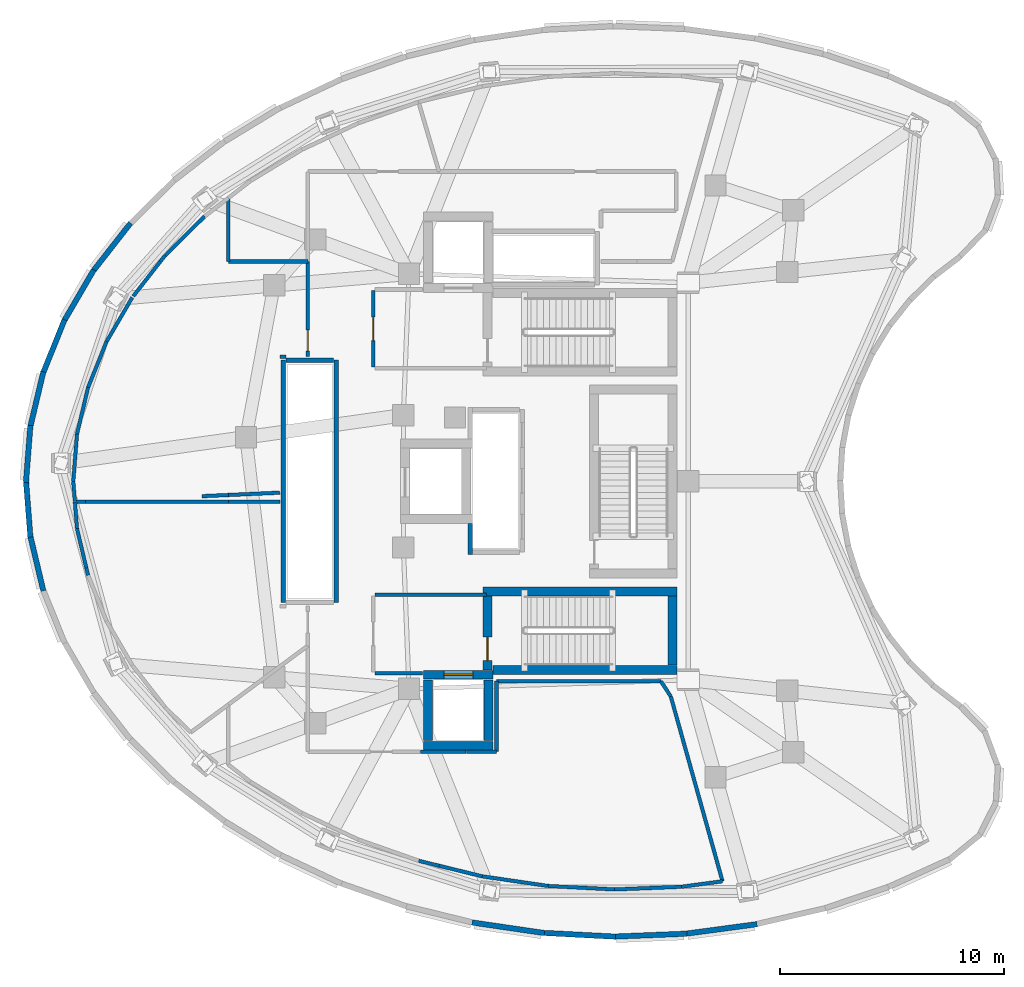
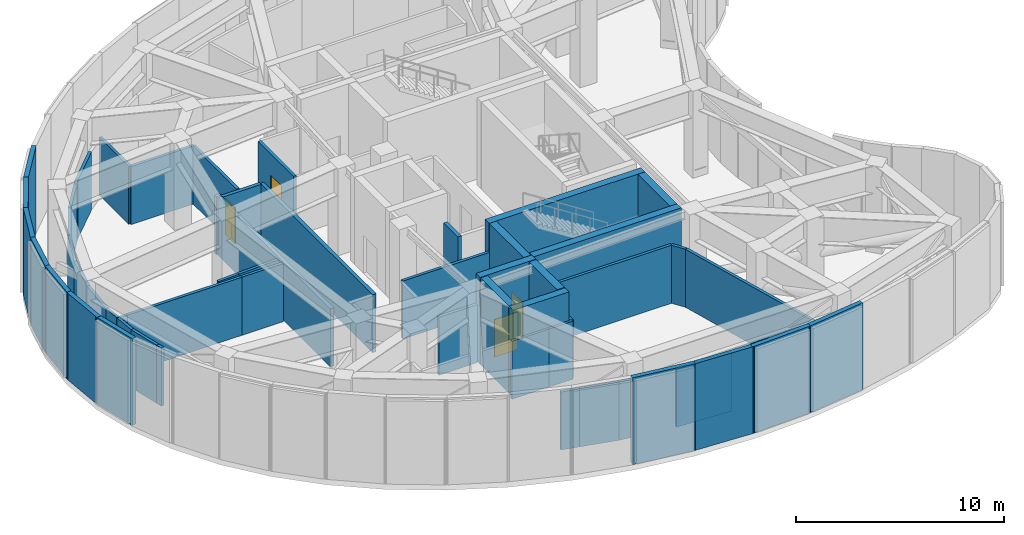
# One storey, part 4 of 9: 58 walls, 4 doors, 4 openings.
"""IFC4 building model written with IfcOpenShell, lengths in metres."""

from ifc_helpers import new_model, si_unit, direction, frame, frame_2d, origin, place, context, subcontext, project, spatial, rectangle, extrude, material, layer, layer_set, type_object, element, fill, save


model = new_model("IFC4")

# Units and contexts
model_context = context("Model", 3, precision=1e-05, world=origin(), true_north=direction((0.0, 1.0)))
body_context = subcontext(model_context, "Body", "Model", "MODEL_VIEW")
ifc_project = project(units=[si_unit("LENGTHUNIT", "METRE"), si_unit("AREAUNIT", "SQUARE_METRE"), si_unit("VOLUMEUNIT", "CUBIC_METRE"), si_unit("PLANEANGLEUNIT", "RADIAN"), si_unit("MASSUNIT", "GRAM", prefix="KILO")], contexts=[model_context])

# Site, building, storey
site_placement = place(None, origin())
site = spatial("IfcSite", under=ifc_project, at=site_placement, CompositionType="ELEMENT")
building_placement = place(site_placement, origin())
building = spatial("IfcBuilding", under=site, at=building_placement, Name="Korentha Bioscience Tower", CompositionType="ELEMENT")
storey_placement = place(building_placement, frame((0.0, 0.0, 277.199951171875)))
storey = spatial("IfcBuildingStorey", under=building, at=storey_placement, Name="L64", CompositionType="ELEMENT", Elevation=277.199951171875)

# Wall, opening, door
ifc_material_1 = material(Name="Gypsum-Clad Steel Stud", Category="steel")
ifc_layer_1 = layer(ifc_material_1, 0.159912109375, Name="Gypsum-Clad Steel Stud")
ifc_layer_set_1 = layer_set([ifc_layer_1], Name="Gypsum-Clad Steel Stud (IW-C160)")
wall_type_1 = type_object("IfcWallType", Name="Fire-Rated Corridor Partition Wall 160", PredefinedType="PARTITIONING", material=ifc_layer_set_1)
wall_1_placement = place(storey_placement, frame((23.5, 32.10009765625, 0.0), z_axis=(0.0, 0.0, 1.0), x_axis=(0.0, 1.0, 0.0)))
wall_1 = element("IfcWall", 1, at=wall_1_placement, inside=storey, type_object=wall_type_1, Name="L64 FFLN-CW Rated Enclosure Wall", PredefinedType="PARTITIONING", context=body_context, shape_type="SweptSolid", body=[
    extrude(rectangle(XDim=3.39990234375, YDim=0.159912109375, at=frame_2d((1.699951171875, 0.0))), origin(), (0.0, 0.0, 1.0), 3.41015625),
])
opening_1_placement = place(wall_1_placement, frame((1.175048828125, 0.0, 0.0)))
opening_1 = element("IfcOpeningElement", 2, at=opening_1_placement, cuts=wall_1, Name="Opening FD-90L", PredefinedType="OPENING", context=body_context, shape_type="SweptSolid", body=[
    extrude(rectangle(XDim=1.050048828125, YDim=2.14990234375, at=frame_2d((0.52490234375, 1.074951171875))), frame((0.0, 0.0947265625, 0.0), z_axis=(0.0, -1.0, 0.0), x_axis=(1.0, 0.0, 0.0)), (0.0, 0.0, 1.0), 0.189697265625),
])
ifc_material_2 = material(Name="Powder-Coated Fire-Rated Steel", Category="steel")
door_type_1 = type_object("IfcDoorType", Name="Stairwell Fire Exit Door 1050x2150 Left", OperationType="SINGLE_SWING_LEFT", PredefinedType="DOOR", material=ifc_material_2)
door_1_placement = place(opening_1_placement, origin())
door_1 = element("IfcDoor", 3, at=door_1_placement, inside=storey, type_object=door_type_1, Name="L64 North Firefighting Lobby Door", OperationType="SINGLE_SWING_LEFT", OverallHeight=2.14990234375, OverallWidth=1.050048828125, PredefinedType="DOOR", context=body_context, shape_type="SweptSolid", body=[
    extrude(rectangle(XDim=1.050048828125, YDim=2.14990234375, at=frame_2d((0.52490234375, 1.074951171875))), frame((0.0, 0.02490234375, 0.0), z_axis=(0.0, -1.0, 0.0), x_axis=(1.0, 0.0, 0.0)), (0.0, 0.0, 1.0), 0.050048828125),
])
fill(opening_1, door_1)

# Walls
wall_2_placement = place(storey_placement, frame((23.580078125, 21.949951171875, 0.0), z_axis=(0.0, 0.0, 1.0), x_axis=(1.0, 0.0, 0.0)))
element("IfcWall", 4, at=wall_2_placement, inside=storey, type_object=wall_type_1, Name="L64 Firefighting Lobby Return Wall FFLS-N", PredefinedType="PARTITIONING", context=body_context, shape_type="SweptSolid", body=[
    extrude(rectangle(XDim=4.969970703125, YDim=0.159912109375, at=frame_2d((2.48486328125, 0.0))), origin(), (0.0, 0.0, 1.0), 3.41015625),
])
wall_3_placement = place(storey_placement, frame((23.580078125, 18.449951171875, 0.0), z_axis=(0.0, 0.0, 1.0), x_axis=(1.0, 0.0, 0.0)))
element("IfcWall", 5, at=wall_3_placement, inside=storey, type_object=wall_type_1, Name="L64 Firefighting Lobby Return Wall FFLS-S", PredefinedType="PARTITIONING", context=body_context, shape_type="SweptSolid", body=[
    extrude(rectangle(XDim=2.119873046875, YDim=0.159912109375, at=frame_2d((1.06005859375, 0.0))), origin(), (0.0, 0.0, 1.0), 3.41015625),
])

# Wall, opening, door
wall_4_placement = place(storey_placement, frame((20.590087890625, 36.7919921875, 0.0), z_axis=(0.0, 0.0, 1.0), x_axis=(0.0, -1.0, 0.0)))
wall_4 = element("IfcWall", 6, at=wall_4_placement, inside=storey, type_object=wall_type_1, Name="L64 Medium-Voltage Transformer Electrical Switch Plant 05 Entrance Wall", PredefinedType="PARTITIONING", context=body_context, shape_type="SweptSolid", body=[
    extrude(rectangle(XDim=4.23193359375, YDim=0.159912109375, at=frame_2d((2.115966796875, 0.0))), origin(), (0.0, 0.0, 1.0), 3.41015625),
])
opening_2_placement = place(wall_4_placement, frame((3.0419921875, 0.0, 0.0)))
opening_2 = element("IfcOpeningElement", 7, at=opening_2_placement, cuts=wall_4, Name="Opening FD-120D", PredefinedType="OPENING", context=body_context, shape_type="SweptSolid", body=[
    extrude(rectangle(XDim=0.949951171875, YDim=2.14990234375, at=frame_2d((0.47509765625, 1.074951171875))), frame((0.0, 0.0947265625, 0.0), z_axis=(0.0, -1.0, 0.0), x_axis=(1.0, 0.0, 0.0)), (0.0, 0.0, 1.0), 0.189697265625),
])
ifc_material_3 = material(Name="Heavy-Duty Insulated Steel", Category="steel")
door_type_2 = type_object("IfcDoorType", Name="Plant & Riser Fire Door 950x2150 Left", OperationType="SINGLE_SWING_LEFT", PredefinedType="DOOR", material=ifc_material_3)
door_2_placement = place(opening_2_placement, origin())
door_2 = element("IfcDoor", 8, at=door_2_placement, inside=storey, type_object=door_type_2, Name="L64 Medium-Voltage Transformer Electrical Switch Plant 05 Door", OperationType="SINGLE_SWING_LEFT", OverallHeight=2.14990234375, OverallWidth=0.949951171875, PredefinedType="DOOR", context=body_context, shape_type="SweptSolid", body=[
    extrude(rectangle(XDim=0.949951171875, YDim=2.14990234375, at=frame_2d((0.47509765625, 1.074951171875))), frame((0.0, 0.02490234375, 0.0), z_axis=(0.0, -1.0, 0.0), x_axis=(1.0, 0.0, 0.0)), (0.0, 0.0, 1.0), 0.050048828125),
])
fill(opening_2, door_2)

# Walls
wall_5_placement = place(storey_placement, frame((10.291015625, 26.080322265625, 0.0), z_axis=(0.0, 0.0, 1.0), x_axis=(0.998982696556, 0.045095143669, 0.0)))
element("IfcWall", 9, at=wall_5_placement, inside=storey, type_object=wall_type_1, Name="L64 Interior Partition 006", PredefinedType="PARTITIONING", context=body_context, shape_type="SweptSolid", body=[
    extrude(rectangle(XDim=0.389892578125, YDim=0.159912109375, at=frame_2d((0.19482421875, 0.0))), origin(), (0.0, 0.0, 1.0), 3.41015625),
])
wall_6_placement = place(storey_placement, frame((10.6806640625, 26.097900390625, 0.0), z_axis=(0.0, 0.0, 1.0), x_axis=(1.0, 0.0, 0.0)))
element("IfcWall", 10, at=wall_6_placement, inside=storey, type_object=wall_type_1, Name="L64 Interior Partition 007", PredefinedType="PARTITIONING", context=body_context, shape_type="SweptSolid", body=[
    extrude(rectangle(XDim=6.3671875, YDim=0.159912109375, at=frame_2d((3.18359375, 0.0))), origin(), (0.0, 0.0, 1.0), 3.41015625),
])
wall_7_placement = place(storey_placement, frame((17.052001953125, 26.097900390625, 0.0), z_axis=(0.0, 0.0, 1.0), x_axis=(1.0, 0.0, 0.0)))
element("IfcWall", 11, at=wall_7_placement, inside=storey, type_object=wall_type_1, Name="L64 Interior Partition 008", PredefinedType="PARTITIONING", context=body_context, shape_type="SweptSolid", body=[
    extrude(rectangle(XDim=2.287841796875, YDim=0.159912109375, at=frame_2d((1.14404296875, 0.0))), origin(), (0.0, 0.0, 1.0), 3.41015625),
])
wall_8_placement = place(storey_placement, frame((10.79443359375, 22.8134765625, 0.0), z_axis=(0.0, 0.0, 1.0), x_axis=(-0.230820312517, 0.972996394304, 0.0)))
element("IfcWall", 12, at=wall_8_placement, inside=storey, type_object=wall_type_1, Name="L64 Interior Partition 016", PredefinedType="PARTITIONING", context=body_context, shape_type="SweptSolid", body=[
    extrude(rectangle(XDim=0.34375, YDim=0.159912109375, at=frame_2d((0.171875, 0.0))), origin(), (0.0, 0.0, 1.0), 3.41015625),
])
wall_9_placement = place(storey_placement, frame((10.714111328125, 23.152099609375, 0.0), z_axis=(0.0, 0.0, 1.0), x_axis=(-0.230724309011, 0.973019163856, 0.0)))
element("IfcWall", 13, at=wall_9_placement, inside=storey, type_object=wall_type_1, Name="L64 Interior Partition 017", PredefinedType="PARTITIONING", context=body_context, shape_type="SweptSolid", body=[
    extrude(rectangle(XDim=1.79248046875, YDim=0.159912109375, at=frame_2d((0.896240234375, 0.0))), origin(), (0.0, 0.0, 1.0), 3.41015625),
])
wall_10_placement = place(storey_placement, frame((10.300537109375, 24.896484375, 0.0), z_axis=(0.0, 0.0, 1.0), x_axis=(-0.078179185526, 0.996939323605, 0.0)))
element("IfcWall", 14, at=wall_10_placement, inside=storey, type_object=wall_type_1, Name="L64 Interior Partition 018", PredefinedType="PARTITIONING", context=body_context, shape_type="SweptSolid", body=[
    extrude(rectangle(XDim=1.18359375, YDim=0.159912109375, at=frame_2d((0.591796875, 0.0))), origin(), (0.0, 0.0, 1.0), 3.41015625),
])
wall_11_placement = place(storey_placement, frame((27.65380859375, 14.949951171875, 0.0), z_axis=(0.0, 0.0, 1.0), x_axis=(1.0, 0.0, 0.0)))
element("IfcWall", 15, at=wall_11_placement, inside=storey, type_object=wall_type_1, Name="L64 Interior Partition 019", PredefinedType="PARTITIONING", context=body_context, shape_type="SweptSolid", body=[
    extrude(rectangle(XDim=1.34228515625, YDim=0.159912109375, at=frame_2d((0.671142578125, 0.0))), origin(), (0.0, 0.0, 1.0), 3.41015625),
])
wall_12_placement = place(storey_placement, frame((29.0, 14.9541015625, 0.0), z_axis=(0.0, 0.0, 1.0), x_axis=(0.0, 1.0, 0.0)))
element("IfcWall", 16, at=wall_12_placement, inside=storey, type_object=wall_type_1, Name="L64 Interior Partition 020", PredefinedType="PARTITIONING", context=body_context, shape_type="SweptSolid", body=[
    extrude(rectangle(XDim=3.135986328125, YDim=0.159912109375, at=frame_2d((1.56787109375, 0.0))), origin(), (0.0, 0.0, 1.0), 3.41015625),
])
wall_13_placement = place(storey_placement, frame((29.0, 18.090087890625, 0.0), z_axis=(0.0, 0.0, 1.0), x_axis=(1.0, 0.0, 0.0)))
element("IfcWall", 17, at=wall_13_placement, inside=storey, type_object=wall_type_1, Name="L64 Interior Partition 021", PredefinedType="PARTITIONING", context=body_context, shape_type="SweptSolid", body=[
    extrude(rectangle(XDim=7.328125, YDim=0.159912109375, at=frame_2d((3.6640625, 0.0))), origin(), (0.0, 0.0, 1.0), 3.41015625),
])
wall_14_placement = place(storey_placement, frame((36.328125, 18.090087890625, 0.0), z_axis=(0.0, 0.0, 1.0), x_axis=(0.54753554432, -0.836782425548, 0.0)))
element("IfcWall", 18, at=wall_14_placement, inside=storey, type_object=wall_type_1, Name="L64 Interior Partition 022", PredefinedType="PARTITIONING", context=body_context, shape_type="SweptSolid", body=[
    extrude(rectangle(XDim=0.804443359375, YDim=0.159912109375, at=frame_2d((0.40234375, 0.0))), origin(), (0.0, 0.0, 1.0), 3.41015625),
])
wall_15_placement = place(storey_placement, frame((36.768798828125, 17.416748046875, 0.0), z_axis=(0.0, 0.0, 1.0), x_axis=(0.269454298841, -0.963013177914, 0.0)))
element("IfcWall", 19, at=wall_15_placement, inside=storey, type_object=wall_type_1, Name="L64 Interior Partition 023", PredefinedType="PARTITIONING", context=body_context, shape_type="SweptSolid", body=[
    extrude(rectangle(XDim=8.5595703125, YDim=0.159912109375, at=frame_2d((4.27978515625, 0.0))), origin(), (0.0, 0.0, 1.0), 3.41015625),
])
wall_16_placement = place(storey_placement, frame((39.0751953125, 9.173583984375, 0.0), z_axis=(0.0, 0.0, 1.0), x_axis=(-0.991157137256, -0.132693365573, 0.0)))
element("IfcWall", 20, at=wall_16_placement, inside=storey, type_object=wall_type_1, Name="L64 Interior Partition 024", PredefinedType="PARTITIONING", context=body_context, shape_type="SweptSolid", body=[
    extrude(rectangle(XDim=1.841796875, YDim=0.159912109375, at=frame_2d((0.9208984375, 0.0))), origin(), (0.0, 0.0, 1.0), 3.41015625),
])
wall_17_placement = place(storey_placement, frame((37.24951171875, 8.928955078125, 0.0), z_axis=(0.0, 0.0, 1.0), x_axis=(-0.999188752092, -0.040272046042, 0.0)))
element("IfcWall", 21, at=wall_17_placement, inside=storey, type_object=wall_type_1, Name="L64 Interior Partition 025", PredefinedType="PARTITIONING", context=body_context, shape_type="SweptSolid", body=[
    extrude(rectangle(XDim=2.982666015625, YDim=0.159912109375, at=frame_2d((1.4912109375, 0.0))), origin(), (0.0, 0.0, 1.0), 3.41015625),
])
wall_18_placement = place(storey_placement, frame((34.269287109375, 8.808837890625, 0.0), z_axis=(0.0, 0.0, 1.0), x_axis=(-0.998634293536, 0.052245074151, 0.0)))
element("IfcWall", 22, at=wall_18_placement, inside=storey, type_object=wall_type_1, Name="L64 Interior Partition 026", PredefinedType="PARTITIONING", context=body_context, shape_type="SweptSolid", body=[
    extrude(rectangle(XDim=2.9814453125, YDim=0.159912109375, at=frame_2d((1.49072265625, 0.0))), origin(), (0.0, 0.0, 1.0), 3.41015625),
])
wall_19_placement = place(storey_placement, frame((31.291748046875, 8.964599609375, 0.0), z_axis=(0.0, 0.0, 1.0), x_axis=(-0.989458468806, 0.144816913748, 0.0)))
element("IfcWall", 23, at=wall_19_placement, inside=storey, type_object=wall_type_1, Name="L64 Interior Partition 027", PredefinedType="PARTITIONING", context=body_context, shape_type="SweptSolid", body=[
    extrude(rectangle(XDim=2.958740234375, YDim=0.159912109375, at=frame_2d((1.4794921875, 0.0))), origin(), (0.0, 0.0, 1.0), 3.41015625),
])
wall_20_placement = place(storey_placement, frame((28.364013671875, 9.39306640625, 0.0), z_axis=(0.0, 0.0, 1.0), x_axis=(-0.971304908144, 0.237837708144, 0.0)))
element("IfcWall", 24, at=wall_20_placement, inside=storey, type_object=wall_type_1, Name="L64 Interior Partition 028", PredefinedType="PARTITIONING", context=body_context, shape_type="SweptSolid", body=[
    extrude(rectangle(XDim=1.969970703125, YDim=0.159912109375, at=frame_2d((0.98486328125, 0.0))), origin(), (0.0, 0.0, 1.0), 3.41015625),
])
wall_21_placement = place(storey_placement, frame((26.44677734375, 9.862548828125, 0.0), z_axis=(0.0, 0.0, 1.0), x_axis=(-0.97128997965, 0.237898666307, 0.0)))
element("IfcWall", 25, at=wall_21_placement, inside=storey, type_object=wall_type_1, Name="L64 Interior Partition 029", PredefinedType="PARTITIONING", context=body_context, shape_type="SweptSolid", body=[
    extrude(rectangle(XDim=0.942138671875, YDim=0.159912109375, at=frame_2d((0.47119140625, 0.0))), origin(), (0.0, 0.0, 1.0), 3.41015625),
])
wall_22_placement = place(storey_placement, frame((25.610107421875, 14.949951171875, 0.0), z_axis=(0.0, 0.0, 1.0), x_axis=(1.0, 0.0, 0.0)))
element("IfcWall", 26, at=wall_22_placement, inside=storey, type_object=wall_type_1, Name="L64 Interior Partition 036", PredefinedType="PARTITIONING", context=body_context, shape_type="SweptSolid", body=[
    extrude(rectangle(XDim=2.039306640625, YDim=0.159912109375, at=frame_2d((1.01953125, 0.0))), origin(), (0.0, 0.0, 1.0), 3.41015625),
])
wall_23_placement = place(storey_placement, frame((20.590087890625, 36.802001953125, 0.0), z_axis=(0.0, 0.0, 1.0), x_axis=(-1.0, 0.0, 0.0)))
element("IfcWall", 27, at=wall_23_placement, inside=storey, type_object=wall_type_1, Name="L64 Interior Partition 053", PredefinedType="PARTITIONING", context=body_context, shape_type="SweptSolid", body=[
    extrude(rectangle(XDim=3.5380859375, YDim=0.159912109375, at=frame_2d((1.76904296875, 0.0))), origin(), (0.0, 0.0, 1.0), 3.41015625),
])
wall_24_placement = place(storey_placement, frame((17.052001953125, 36.802001953125, 0.0), z_axis=(0.0, 0.0, 1.0), x_axis=(0.0, 1.0, 0.0)))
element("IfcWall", 28, at=wall_24_placement, inside=storey, type_object=wall_type_1, Name="L64 Interior Partition 054", PredefinedType="PARTITIONING", context=body_context, shape_type="SweptSolid", body=[
    extrude(rectangle(XDim=2.83056640625, YDim=0.159912109375, at=frame_2d((1.415283203125, 0.0))), origin(), (0.0, 0.0, 1.0), 3.41015625),
])
wall_25_placement = place(storey_placement, frame((10.1357421875, 27.0, 0.0), z_axis=(0.0, 0.0, 1.0), x_axis=(0.078103302944, 0.996945271351, 0.0)))
element("IfcWall", 29, at=wall_25_placement, inside=storey, type_object=wall_type_1, Name="L64 Interior Partition 057", PredefinedType="PARTITIONING", context=body_context, shape_type="SweptSolid", body=[
    extrude(rectangle(XDim=2.10986328125, YDim=0.159912109375, at=frame_2d((1.054931640625, 0.0))), origin(), (0.0, 0.0, 1.0), 3.41015625),
])
wall_26_placement = place(storey_placement, frame((10.300537109375, 29.103759765625, 0.0), z_axis=(0.0, 0.0, 1.0), x_axis=(0.230736371134, 0.973016303582, 0.0)))
element("IfcWall", 30, at=wall_26_placement, inside=storey, type_object=wall_type_1, Name="L64 Interior Partition 058", PredefinedType="PARTITIONING", context=body_context, shape_type="SweptSolid", body=[
    extrude(rectangle(XDim=2.140625, YDim=0.159912109375, at=frame_2d((1.0703125, 0.0))), origin(), (0.0, 0.0, 1.0), 3.41015625),
])
wall_27_placement = place(storey_placement, frame((10.79443359375, 31.186767578125, 0.0), z_axis=(0.0, 0.0, 1.0), x_axis=(0.373992983989, 0.927431532743, 0.0)))
element("IfcWall", 31, at=wall_27_placement, inside=storey, type_object=wall_type_1, Name="L64 Interior Partition 059", PredefinedType="PARTITIONING", context=body_context, shape_type="SweptSolid", body=[
    extrude(rectangle(XDim=2.19873046875, YDim=0.159912109375, at=frame_2d((1.099365234375, 0.0))), origin(), (0.0, 0.0, 1.0), 3.41015625),
])
wall_28_placement = place(storey_placement, frame((11.616943359375, 33.226318359375, 0.0), z_axis=(0.0, 0.0, 1.0), x_axis=(0.503091477378, 0.864233166101, 0.0)))
element("IfcWall", 32, at=wall_28_placement, inside=storey, type_object=wall_type_1, Name="L64 Interior Partition 060", PredefinedType="PARTITIONING", context=body_context, shape_type="SweptSolid", body=[
    extrude(rectangle(XDim=2.27880859375, YDim=0.159912109375, at=frame_2d((1.139404296875, 0.0))), origin(), (0.0, 0.0, 1.0), 3.41015625),
])
wall_29_placement = place(storey_placement, frame((12.8076171875, 35.25244140625, 0.0), z_axis=(0.0, 0.0, 1.0), x_axis=(0.615774471154, 0.787922458542, 0.0)))
element("IfcWall", 33, at=wall_29_placement, inside=storey, type_object=wall_type_1, Name="L64 Interior Partition 061", PredefinedType="PARTITIONING", context=body_context, shape_type="SweptSolid", body=[
    extrude(rectangle(XDim=1.96142578125, YDim=0.159912109375, at=frame_2d((0.980712890625, 0.0))), origin(), (0.0, 0.0, 1.0), 3.41015625),
])
wall_30_placement = place(storey_placement, frame((14.018798828125, 36.802001953125, 0.0), z_axis=(0.0, 0.0, 1.0), x_axis=(0.615799042006, 0.787903255397, 0.0)))
element("IfcWall", 34, at=wall_30_placement, inside=storey, type_object=wall_type_1, Name="L64 Interior Partition 062", PredefinedType="PARTITIONING", context=body_context, shape_type="SweptSolid", body=[
    extrude(rectangle(XDim=0.336181640625, YDim=0.159912109375, at=frame_2d((0.16796875, 0.0))), origin(), (0.0, 0.0, 1.0), 3.41015625),
])
wall_31_placement = place(storey_placement, frame((14.22607421875, 37.0673828125, 0.0), z_axis=(0.0, 0.0, 1.0), x_axis=(0.711428467845, 0.702758518369, 0.0)))
element("IfcWall", 35, at=wall_31_placement, inside=storey, type_object=wall_type_1, Name="L64 Interior Partition 063", PredefinedType="PARTITIONING", context=body_context, shape_type="SweptSolid", body=[
    extrude(rectangle(XDim=2.47802734375, YDim=0.159912109375, at=frame_2d((1.239013671875, 0.0))), origin(), (0.0, 0.0, 1.0), 3.41015625),
])
wall_32_placement = place(storey_placement, frame((19.6201171875, 32.56005859375, 0.0), z_axis=(0.0, 0.0, 1.0), x_axis=(-1.0, 0.0, 0.0)))
element("IfcWall", 36, at=wall_32_placement, inside=storey, type_object=wall_type_1, Name="L64 Interior Partition 065", PredefinedType="PARTITIONING", context=body_context, shape_type="SweptSolid", body=[
    extrude(rectangle(XDim=0.27001953125, YDim=0.159912109375, at=frame_2d((0.135009765625, 0.0))), origin(), (0.0, 0.0, 1.0), 3.41015625),
])
wall_33_placement = place(storey_placement, frame((19.33984375, 26.4951171875, 0.0), z_axis=(0.0, 0.0, 1.0), x_axis=(-0.99897293198, -0.04531093875, 0.0)))
element("IfcWall", 37, at=wall_33_placement, inside=storey, type_object=wall_type_1, Name="L64 Interior Partition 066", PredefinedType="PARTITIONING", context=body_context, shape_type="SweptSolid", body=[
    extrude(rectangle(XDim=2.2900390625, YDim=0.159912109375, at=frame_2d((1.14501953125, 0.0))), origin(), (0.0, 0.0, 1.0), 3.41015625),
])
wall_34_placement = place(storey_placement, frame((17.0478515625, 26.39111328125, 0.0), z_axis=(0.0, 0.0, 1.0), x_axis=(-0.998967680738, -0.045426565374, 0.0)))
element("IfcWall", 38, at=wall_34_placement, inside=storey, type_object=wall_type_1, Name="L64 Interior Partition 067", PredefinedType="PARTITIONING", context=body_context, shape_type="SweptSolid", body=[
    extrude(rectangle(XDim=1.171630859375, YDim=0.159912109375, at=frame_2d((0.5859375, 0.0))), origin(), (0.0, 0.0, 1.0), 3.41015625),
])
wall_35_placement = place(storey_placement, frame((10.2060546875, 26.102294921875, 0.0), z_axis=(0.0, 0.0, 1.0), x_axis=(-0.078085569275, 0.996946660494, 0.0)))
element("IfcWall", 39, at=wall_35_placement, inside=storey, type_object=wall_type_1, Name="L64 Interior Partition 068", PredefinedType="PARTITIONING", context=body_context, shape_type="SweptSolid", body=[
    extrude(rectangle(XDim=0.900390625, YDim=0.159912109375, at=frame_2d((0.4501953125, 0.0))), origin(), (0.0, 0.0, 1.0), 3.41015625),
])
ifc_material_4 = material(Name="Autoclaved Aerated Concrete Block C25", Category="concrete")
ifc_layer_2 = layer(ifc_material_4, 0.199951171875, Name="Autoclaved Aerated Concrete Block C25")
ifc_layer_set_2 = layer_set([ifc_layer_2], Name="Autoclaved Aerated Concrete Block C25 (IW-S200)")
wall_type_2 = type_object("IfcWallType", Name="Lift and Riser Shaft Enclosure Wall 200", PredefinedType="PARTITIONING", material=ifc_layer_set_2)
for number, where, z_axis, x_axis, name in (
    (40, (19.5, 21.60009765625, 0.0), (0.0, 0.0, 1.0), (0.0, 1.0, 0.0), "L64 Lift Bank MID Shaft Wall -X"),
    (41, (21.85009765625, 21.60009765625, 0.0), (0.0, 0.0, 1.0), (0.0, 1.0, 0.0), "L64 Lift Bank MID Shaft Wall +X"),
):
    element("IfcWall", number, at=place(storey_placement, frame(where, z_axis=z_axis, x_axis=x_axis)), inside=storey, type_object=wall_type_2, Name=name, PredefinedType="PARTITIONING", context=body_context, shape_type="SweptSolid", body=[
        extrude(rectangle(XDim=10.7998046875, YDim=0.199951171875, at=frame_2d((5.39990234375, 0.0))), origin(), (0.0, 0.0, 1.0), 3.41015625),
    ])
wall_36_placement = place(storey_placement, frame((19.6201171875, 32.39990234375, 0.0), z_axis=(0.0, 0.0, 1.0), x_axis=(1.0, 0.0, 0.0)))
element("IfcWall", 42, at=wall_36_placement, inside=storey, type_object=wall_type_2, Name="L64 Lift Bank MID Shaft Wall +Y", PredefinedType="PARTITIONING", context=body_context, shape_type="SweptSolid", body=[
    extrude(rectangle(XDim=2.10986328125, YDim=0.199951171875, at=frame_2d((1.054931640625, 0.0))), origin(), (0.0, 0.0, 1.0), 3.41015625),
])
wall_37_placement = place(storey_placement, frame((27.830078125, 23.75, 0.0), z_axis=(0.0, 0.0, 1.0), x_axis=(0.0, 1.0, 0.0)))
element("IfcWall", 43, at=wall_37_placement, inside=storey, type_object=wall_type_2, Name="L64 Lift Bank HIGH Shaft Wall -XS", PredefinedType="PARTITIONING", context=body_context, shape_type="SweptSolid", body=[
    extrude(rectangle(XDim=1.365966796875, YDim=0.199951171875, at=frame_2d((0.68310546875, 0.0))), origin(), (0.0, 0.0, 1.0), 3.41015625),
])
ifc_material_5 = material(Name="Concrete C65", Category="concrete")
ifc_layer_3 = layer(ifc_material_5, 0.39990234375, Name="Concrete C65")
ifc_layer_set_3 = layer_set([ifc_layer_3], Name="Concrete C65 (CW-C65)")
wall_type_3 = type_object("IfcWallType", Name="Mid-Rise Core Shear Wall 400", PredefinedType="SHEAR", material=ifc_layer_set_3)
wall_38_placement = place(storey_placement, frame((28.85205078125, 18.60009765625, 0.0), z_axis=(0.0, 0.0, 1.0), x_axis=(1.0, 0.0, 0.0)))
element("IfcWall", 44, at=wall_38_placement, inside=storey, type_object=wall_type_3, Name="L64 Core Shear Wall ST2-S", PredefinedType="SHEAR", context=body_context, shape_type="SweptSolid", body=[
    extrude(rectangle(XDim=8.197998046875, YDim=0.39990234375, at=frame_2d((4.09912109375, 0.0))), origin(), (0.0, 0.0, 1.0), 5.10009765625),
])
wall_39_placement = place(storey_placement, frame((28.39990234375, 22.10009765625, 0.0), z_axis=(0.0, 0.0, 1.0), x_axis=(1.0, 0.0, 0.0)))
element("IfcWall", 45, at=wall_39_placement, inside=storey, type_object=wall_type_3, Name="L64 Core Shear Wall ST2-N", PredefinedType="SHEAR", context=body_context, shape_type="SweptSolid", body=[
    extrude(rectangle(XDim=8.650146484375, YDim=0.39990234375, at=frame_2d((4.3251953125, 0.0))), origin(), (0.0, 0.0, 1.0), 5.10009765625),
])
wall_40_placement = place(storey_placement, frame((36.85009765625, 18.81005859375, 0.0), z_axis=(0.0, 0.0, 1.0), x_axis=(0.0, 1.0, 0.0)))
element("IfcWall", 46, at=wall_40_placement, inside=storey, type_object=wall_type_3, Name="L64 Core Shear Wall ST2-E", PredefinedType="SHEAR", context=body_context, shape_type="SweptSolid", body=[
    extrude(rectangle(XDim=3.079833984375, YDim=0.39990234375, at=frame_2d((1.5400390625, 0.0))), origin(), (0.0, 0.0, 1.0), 5.10009765625),
])

# Wall, opening, door
wall_41_placement = place(storey_placement, frame((28.60009765625, 18.58203125, 0.0), z_axis=(0.0, 0.0, 1.0), x_axis=(0.0, 1.0, 0.0)))
wall_41 = element("IfcWall", 47, at=wall_41_placement, inside=storey, type_object=wall_type_3, Name="L64 Core Shear Wall ST2-W", PredefinedType="SHEAR", context=body_context, shape_type="SweptSolid", body=[
    extrude(rectangle(XDim=3.307861328125, YDim=0.39990234375, at=frame_2d((1.65380859375, 0.0))), origin(), (0.0, 0.0, 1.0), 5.10009765625),
])
opening_3_placement = place(wall_41_placement, frame((0.427978515625, 0.0, 0.0)))
opening_3 = element("IfcOpeningElement", 48, at=opening_3_placement, cuts=wall_41, Name="Opening FD-90L", PredefinedType="OPENING", context=body_context, shape_type="SweptSolid", body=[
    extrude(rectangle(XDim=1.050048828125, YDim=2.14990234375, at=frame_2d((0.52490234375, 1.074951171875))), frame((0.0, 0.21484375, 0.0), z_axis=(0.0, -1.0, 0.0), x_axis=(1.0, 0.0, 0.0)), (0.0, 0.0, 1.0), 0.4296875),
])
door_3_placement = place(opening_3_placement, origin())
door_3 = element("IfcDoor", 49, at=door_3_placement, inside=storey, type_object=door_type_1, Name="L64 ST-2 Fire Exit Stair Door", OperationType="SINGLE_SWING_LEFT", OverallHeight=2.14990234375, OverallWidth=1.050048828125, PredefinedType="DOOR", context=body_context, shape_type="SweptSolid", body=[
    extrude(rectangle(XDim=1.050048828125, YDim=2.14990234375, at=frame_2d((0.52490234375, 1.074951171875))), frame((0.0, 0.02490234375, 0.0), z_axis=(0.0, -1.0, 0.0), x_axis=(1.0, 0.0, 0.0)), (0.0, 0.0, 1.0), 0.050048828125),
])
fill(opening_3, door_3)

# Wall
wall_42_placement = place(storey_placement, frame((25.75, 15.199951171875, 0.0), z_axis=(0.0, 0.0, 1.0), x_axis=(1.0, 0.0, 0.0)))
element("IfcWall", 50, at=wall_42_placement, inside=storey, type_object=wall_type_3, Name="L64 Core Shear Wall FFL1-S", PredefinedType="SHEAR", context=body_context, shape_type="SweptSolid", body=[
    extrude(rectangle(XDim=3.10009765625, YDim=0.39990234375, at=frame_2d((1.550048828125, 0.0))), origin(), (0.0, 0.0, 1.0), 5.10009765625),
])

# Wall, opening, door
wall_43_placement = place(storey_placement, frame((25.75, 18.3798828125, 0.0), z_axis=(0.0, 0.0, 1.0), x_axis=(1.0, 0.0, 0.0)))
wall_43 = element("IfcWall", 51, at=wall_43_placement, inside=storey, type_object=wall_type_3, Name="L64 Core Shear Wall FFL1-N", PredefinedType="SHEAR", context=body_context, shape_type="SweptSolid", body=[
    extrude(rectangle(XDim=3.10009765625, YDim=0.39990234375, at=frame_2d((1.550048828125, 0.0))), origin(), (0.0, 0.0, 1.0), 5.10009765625),
])
opening_4_placement = place(wall_43_placement, frame((0.89990234375, 0.0, 0.0)))
opening_4 = element("IfcOpeningElement", 52, at=opening_4_placement, cuts=wall_43, Name="Opening LD-13", PredefinedType="OPENING", context=body_context, shape_type="SweptSolid", body=[
    extrude(rectangle(XDim=1.300048828125, YDim=2.199951171875, at=frame_2d((0.64990234375, 1.10009765625))), frame((0.0, 0.21484375, 0.0), z_axis=(0.0, -1.0, 0.0), x_axis=(1.0, 0.0, 0.0)), (0.0, 0.0, 1.0), 0.4296875),
])
ifc_material_6 = material(Name="Brushed Stainless Steel 316", Category="steel")
door_type_3 = type_object("IfcDoorType", Name="Service & Firefighting Lift Landing Door 1300x2300", OperationType="DOUBLE_DOOR_SLIDING", PredefinedType="DOOR", material=ifc_material_6)
door_4_placement = place(opening_4_placement, origin())
door_4 = element("IfcDoor", 53, at=door_4_placement, inside=storey, type_object=door_type_3, Name="L64 FFL-1 Sliding Lift Landing Door", OperationType="DOUBLE_DOOR_SLIDING", OverallHeight=2.199951171875, OverallWidth=1.300048828125, PredefinedType="DOOR", context=body_context, shape_type="SweptSolid", body=[
    extrude(rectangle(XDim=1.300048828125, YDim=2.199951171875, at=frame_2d((0.64990234375, 1.10009765625))), frame((0.0, 0.02490234375, 0.0), z_axis=(0.0, -1.0, 0.0), x_axis=(1.0, 0.0, 0.0)), (0.0, 0.0, 1.0), 0.050048828125),
])
fill(opening_4, door_4)

# Walls
for number, where, z_axis, x_axis, name in (
    (54, (25.949951171875, 15.43994140625, 0.0), (0.0, 0.0, 1.0), (0.0, 1.0, 0.0), "L64 Core Shear Wall FFL1-W"),
    (55, (28.64990234375, 15.43994140625, 0.0), (0.0, 0.0, 1.0), (0.0, 1.0, 0.0), "L64 Core Shear Wall FFL1-E"),
):
    element("IfcWall", number, at=place(storey_placement, frame(where, z_axis=z_axis, x_axis=x_axis)), inside=storey, type_object=wall_type_3, Name=name, PredefinedType="SHEAR", context=body_context, shape_type="SweptSolid", body=[
        extrude(rectangle(XDim=2.699951171875, YDim=0.39990234375, at=frame_2d((1.35009765625, 0.0))), origin(), (0.0, 0.0, 1.0), 5.10009765625),
    ])
ifc_material_7 = material(Name="Insulated Precast Concrete C40", Category="concrete")
ifc_layer_4 = layer(ifc_material_7, 0.239990234375, Name="Insulated Precast Concrete C40")
ifc_layer_set_4 = layer_set([ifc_layer_4], Name="Insulated Precast Concrete C40 (EW-PL240)")
wall_type_4 = type_object("IfcWallType", Name="Plant Acoustic Louvre Backup Wall 240", PredefinedType="STANDARD", material=ifc_layer_set_4)
wall_44_placement = place(storey_placement, frame((12.689697265625, 38.51171875, 0.0), z_axis=(0.0, 0.0, 1.0), x_axis=(-0.615782644102, -0.78791607118, 0.0)))
element("IfcWall", 56, at=wall_44_placement, inside=storey, type_object=wall_type_4, Name="L64 Plant Louvre Backup Wall 14", PredefinedType="STANDARD", context=body_context, shape_type="SweptSolid", body=[
    extrude(rectangle(XDim=2.7685546875, YDim=0.239990234375, at=frame_2d((1.38427734375, 0.0))), origin(), (0.0, 0.0, 1.0), 5.10009765625),
])
wall_45_placement = place(storey_placement, frame((11.050048828125, 36.426513671875, 0.0), z_axis=(0.0, 0.0, 1.0), x_axis=(-0.503109244551, -0.864222823147, 0.0)))
element("IfcWall", 57, at=wall_45_placement, inside=storey, type_object=wall_type_4, Name="L64 Plant Louvre Backup Wall 15", PredefinedType="STANDARD", context=body_context, shape_type="SweptSolid", body=[
    extrude(rectangle(XDim=2.690673828125, YDim=0.239990234375, at=frame_2d((1.34521484375, 0.0))), origin(), (0.0, 0.0, 1.0), 5.10009765625),
])
wall_46_placement = place(storey_placement, frame((9.747802734375, 34.206298828125, 0.0), z_axis=(0.0, 0.0, 1.0), x_axis=(-0.373969625134, -0.927440952016, 0.0)))
element("IfcWall", 58, at=wall_46_placement, inside=storey, type_object=wall_type_4, Name="L64 Plant Louvre Backup Wall 16", PredefinedType="STANDARD", context=body_context, shape_type="SweptSolid", body=[
    extrude(rectangle(XDim=2.62646484375, YDim=0.239990234375, at=frame_2d((1.313232421875, 0.0))), origin(), (0.0, 0.0, 1.0), 5.10009765625),
])
wall_47_placement = place(storey_placement, frame((8.80126953125, 31.8828125, 0.0), z_axis=(0.0, 0.0, 1.0), x_axis=(-0.230784675984, -0.973004847537, 0.0)))
element("IfcWall", 59, at=wall_47_placement, inside=storey, type_object=wall_type_4, Name="L64 Plant Louvre Backup Wall 17", PredefinedType="STANDARD", context=body_context, shape_type="SweptSolid", body=[
    extrude(rectangle(XDim=2.580078125, YDim=0.239990234375, at=frame_2d((1.2900390625, 0.0))), origin(), (0.0, 0.0, 1.0), 5.10009765625),
])
for number, where, z_axis, x_axis, name in (
    (60, (8.22412109375, 29.489013671875, 0.0), (0.0, 0.0, 1.0), (-0.078040462511, -0.996950192442, 0.0), "L64 Plant Louvre Backup Wall 18"),
    (61, (8.024658203125, 27.05908203125, 0.0), (0.0, 0.0, 1.0), (0.078040462511, -0.996950192442, 0.0), "L64 Plant Louvre Backup Wall 19"),
):
    element("IfcWall", number, at=place(storey_placement, frame(where, z_axis=z_axis, x_axis=x_axis)), inside=storey, type_object=wall_type_4, Name=name, PredefinedType="STANDARD", context=body_context, shape_type="SweptSolid", body=[
        extrude(rectangle(XDim=2.555908203125, YDim=0.239990234375, at=frame_2d((1.27783203125, 0.0))), origin(), (0.0, 0.0, 1.0), 5.10009765625),
    ])
wall_48_placement = place(storey_placement, frame((8.205810546875, 24.627685546875, 0.0), z_axis=(0.0, 0.0, 1.0), x_axis=(0.230784675984, -0.973004847537, 0.0)))
element("IfcWall", 62, at=wall_48_placement, inside=storey, type_object=wall_type_4, Name="L64 Plant Louvre Backup Wall 20", PredefinedType="STANDARD", context=body_context, shape_type="SweptSolid", body=[
    extrude(rectangle(XDim=2.580078125, YDim=0.239990234375, at=frame_2d((1.2900390625, 0.0))), origin(), (0.0, 0.0, 1.0), 5.10009765625),
])
wall_49_placement = place(storey_placement, frame((27.90625, 7.337646484375, 0.0), z_axis=(0.0, 0.0, 1.0), x_axis=(0.989461064134, -0.144799180117, 0.0)))
element("IfcWall", 63, at=wall_49_placement, inside=storey, type_object=wall_type_4, Name="L64 Plant Louvre Backup Wall 30", PredefinedType="STANDARD", context=body_context, shape_type="SweptSolid", body=[
    extrude(rectangle(XDim=3.267578125, YDim=0.239990234375, at=frame_2d((1.6337890625, 0.0))), origin(), (0.0, 0.0, 1.0), 5.10009765625),
])
wall_50_placement = place(storey_placement, frame((31.029052734375, 6.87548828125, 0.0), z_axis=(0.0, 0.0, 1.0), x_axis=(0.998636433691, -0.052204150274, 0.0)))
element("IfcWall", 64, at=wall_50_placement, inside=storey, type_object=wall_type_4, Name="L64 Plant Louvre Backup Wall 31", PredefinedType="STANDARD", context=body_context, shape_type="SweptSolid", body=[
    extrude(rectangle(XDim=3.28759765625, YDim=0.239990234375, at=frame_2d((1.643798828125, 0.0))), origin(), (0.0, 0.0, 1.0), 5.10009765625),
])
wall_51_placement = place(storey_placement, frame((34.201171875, 6.70458984375, 0.0), z_axis=(0.0, 0.0, 1.0), x_axis=(0.999190250472, 0.040234852582, 0.0)))
element("IfcWall", 65, at=wall_51_placement, inside=storey, type_object=wall_type_4, Name="L64 Plant Louvre Backup Wall 32", PredefinedType="STANDARD", context=body_context, shape_type="SweptSolid", body=[
    extrude(rectangle(XDim=3.288818359375, YDim=0.239990234375, at=frame_2d((1.64453125, 0.0))), origin(), (0.0, 0.0, 1.0), 5.10009765625),
])
wall_52_placement = place(storey_placement, frame((37.376708984375, 6.827392578125, 0.0), z_axis=(0.0, 0.0, 1.0), x_axis=(0.991137726176, 0.13283827668, 0.0)))
element("IfcWall", 66, at=wall_52_placement, inside=storey, type_object=wall_type_4, Name="L64 Plant Louvre Backup Wall 33", PredefinedType="STANDARD", context=body_context, shape_type="SweptSolid", body=[
    extrude(rectangle(XDim=3.271484375, YDim=0.239990234375, at=frame_2d((1.6357421875, 0.0))), origin(), (0.0, 0.0, 1.0), 5.10009765625),
])

save(model, "model.ifc")
